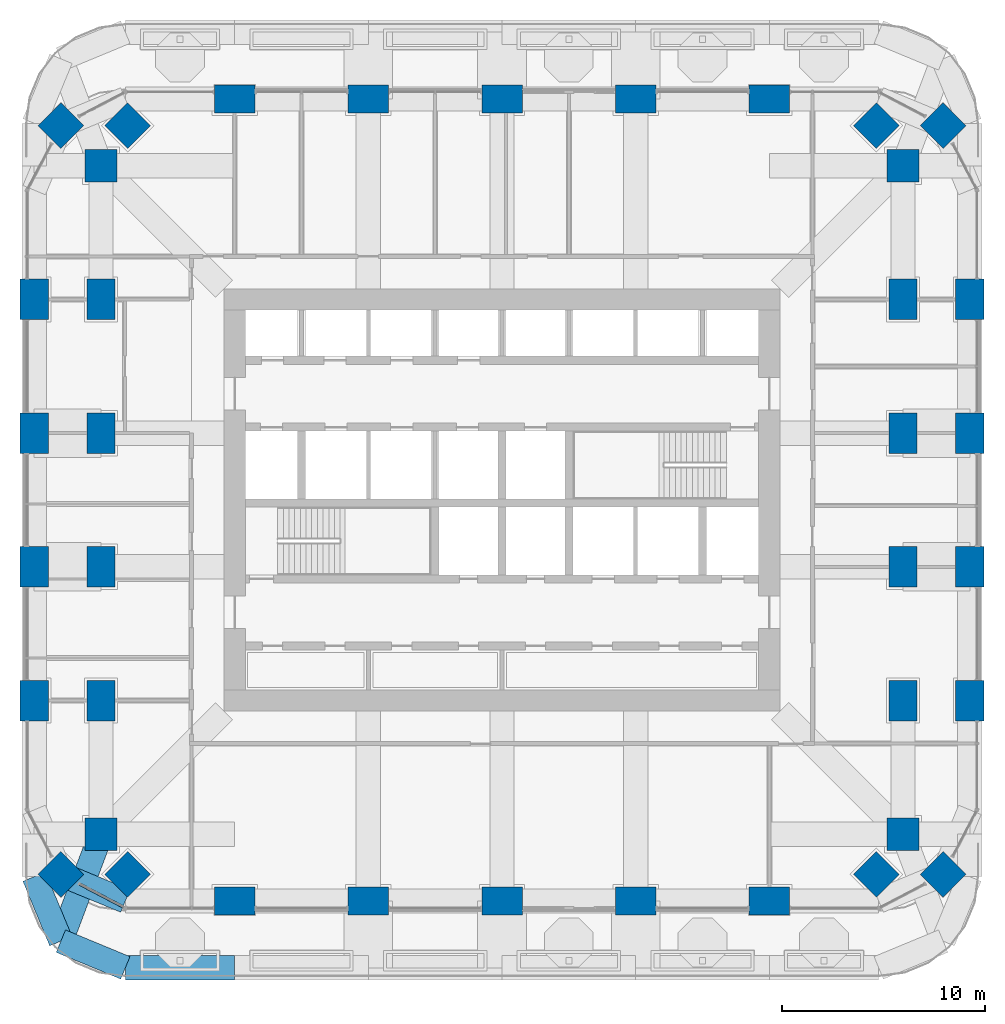
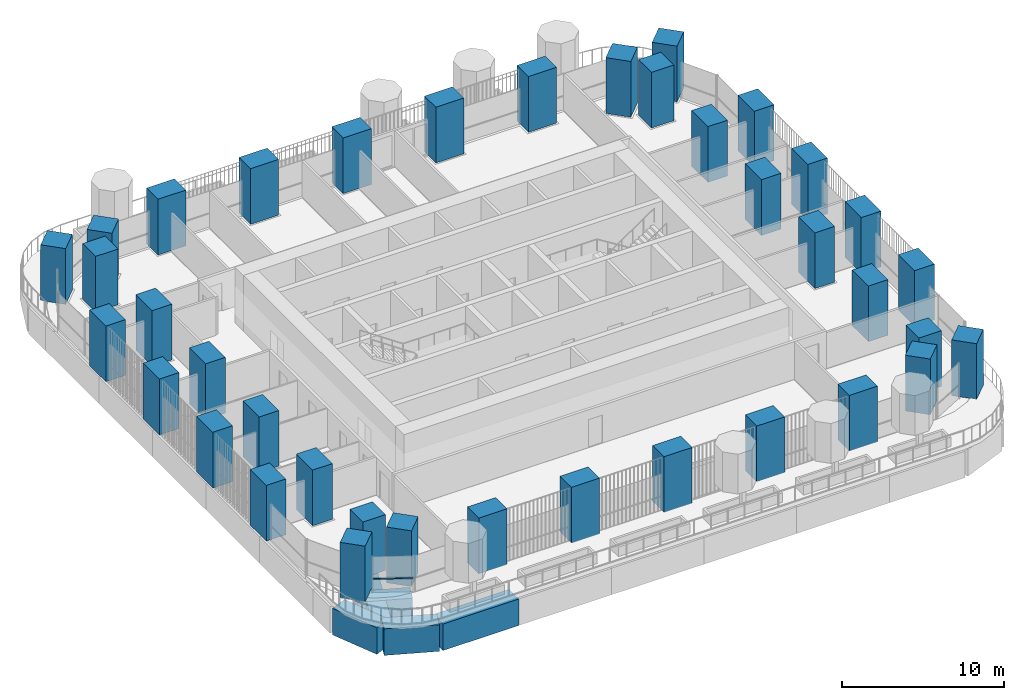
# One storey, part 1 of 22: 38 columns, 5 beams, 1 member, 1 element without a shape of its own.
"""IFC4 building model written with IfcOpenShell, lengths in metres."""

from ifc_helpers import new_model, si_unit, direction, frame, origin, origin_2d, place, context, subcontext, project, spatial, rectangle, extrude, material, material_profile, profile_set, type_object, element, aggregate, save


model = new_model("IFC4")

# Units and contexts
model_context = context("Model", 3, precision=1e-05, world=origin(), true_north=direction((0.0, 1.0)))
body_context = subcontext(model_context, "Body", "Model", "MODEL_VIEW")
ifc_project = project(units=[si_unit("LENGTHUNIT", "METRE"), si_unit("AREAUNIT", "SQUARE_METRE"), si_unit("VOLUMEUNIT", "CUBIC_METRE"), si_unit("PLANEANGLEUNIT", "RADIAN"), si_unit("MASSUNIT", "GRAM", prefix="KILO")], contexts=[model_context])

# Site, building, storey
site_placement = place(None, origin())
site = spatial("IfcSite", under=ifc_project, at=site_placement, CompositionType="ELEMENT")
building_placement = place(site_placement, origin())
building = spatial("IfcBuilding", under=site, at=building_placement, Name="Cobogo Forest Laboratory Tower", CompositionType="ELEMENT")
storey_placement = place(building_placement, frame((0.0, 0.0, 155.699951171875)))
storey = spatial("IfcBuildingStorey", under=building, at=storey_placement, Name="L35", CompositionType="ELEMENT", Elevation=155.699951171875)

# Columns
ifc_material_1 = material(Name="Concrete HA-50 (C50/60)", Category="concrete")
ifc_material_profile_1 = material_profile(ifc_material_1, rectangle(XDim=2.0, YDim=1.39990234375, at=origin_2d()), Name="RC 1400x2000")
ifc_profile_set_1 = profile_set([ifc_material_profile_1], Name="Concrete HA-50 (C50/60)")
column_type_1 = type_object("IfcColumnType", Name="Blade column 1400x2000", PredefinedType="COLUMN", material=ifc_profile_set_1)
for number, where, z_axis, x_axis, name in (
    (1, (13.199951171875, 3.300048828125, 0.0), (0.0, 0.0, 1.0), (1.0, 0.0, 0.0), "Column 3-A.1 L35"),
    (2, (19.800048828125, 3.300048828125, 0.0), (0.0, 0.0, 1.0), (1.0, 0.0, 0.0), "Column 4-A.1 L35"),
    (3, (26.39990234375, 3.300048828125, 0.0), (0.0, 0.0, 1.0), (1.0, 0.0, 0.0), "Column 5-A.1 L35"),
    (4, (33.0, 3.300048828125, 0.0), (0.0, 0.0, 1.0), (1.0, 0.0, 0.0), "Column 6-A.1 L35"),
    (5, (39.60009765625, 3.300048828125, 0.0), (0.0, 0.0, 1.0), (1.0, 0.0, 0.0), "Column 7-A.1 L35"),
    (6, (3.300048828125, 13.199951171875, 0.0), (0.0, 0.0, 1.0), (0.0, 1.0, 0.0), "Column 1.1-C L35"),
    (7, (49.5, 13.199951171875, 0.0), (0.0, 0.0, 1.0), (0.0, 1.0, 0.0), "Column 8.1-C L35"),
    (8, (3.300048828125, 19.800048828125, 0.0), (0.0, 0.0, 1.0), (0.0, 1.0, 0.0), "Column 1.1-D L35"),
    (9, (49.5, 19.800048828125, 0.0), (0.0, 0.0, 1.0), (0.0, 1.0, 0.0), "Column 8.1-D L35"),
    (10, (3.300048828125, 26.39990234375, 0.0), (0.0, 0.0, 1.0), (0.0, 1.0, 0.0), "Column 1.1-E L35"),
    (11, (49.5, 26.39990234375, 0.0), (0.0, 0.0, 1.0), (0.0, 1.0, 0.0), "Column 8.1-E L35"),
    (12, (3.300048828125, 33.0, 0.0), (0.0, 0.0, 1.0), (0.0, 1.0, 0.0), "Column 1.1-F L35"),
    (13, (49.5, 33.0, 0.0), (0.0, 0.0, 1.0), (0.0, 1.0, 0.0), "Column 8.1-F L35"),
    (14, (13.199951171875, 42.89990234375, 0.0), (0.0, 0.0, 1.0), (1.0, 0.0, 0.0), "Column 3-G.1 L35"),
    (15, (19.800048828125, 42.89990234375, 0.0), (0.0, 0.0, 1.0), (1.0, 0.0, 0.0), "Column 4-G.1 L35"),
    (16, (26.39990234375, 42.89990234375, 0.0), (0.0, 0.0, 1.0), (1.0, 0.0, 0.0), "Column 5-G.1 L35"),
    (17, (33.0, 42.89990234375, 0.0), (0.0, 0.0, 1.0), (1.0, 0.0, 0.0), "Column 6-G.1 L35"),
    (18, (39.60009765625, 42.89990234375, 0.0), (0.0, 0.0, 1.0), (1.0, 0.0, 0.0), "Column 7-G.1 L35"),
    (19, (6.60009765625, 13.199951171875, 0.0), (0.0, 0.0, 1.0), (0.0, 1.0, 0.0), "Column 2-C-D L35"),
    (20, (46.199951171875, 13.199951171875, 0.0), (0.0, 0.0, 1.0), (0.0, 1.0, 0.0), "Column 8-C-D L35"),
    (21, (6.60009765625, 19.800048828125, 0.0), (0.0, 0.0, 1.0), (0.0, 1.0, 0.0), "Column 2-D-D L35"),
    (22, (46.199951171875, 19.800048828125, 0.0), (0.0, 0.0, 1.0), (0.0, 1.0, 0.0), "Column 8-D-D L35"),
    (23, (6.60009765625, 26.39990234375, 0.0), (0.0, 0.0, 1.0), (0.0, 1.0, 0.0), "Column 2-E-D L35"),
    (24, (46.199951171875, 26.39990234375, 0.0), (0.0, 0.0, 1.0), (0.0, 1.0, 0.0), "Column 8-E-D L35"),
    (25, (6.60009765625, 33.0, 0.0), (0.0, 0.0, 1.0), (0.0, 1.0, 0.0), "Column 2-F-D L35"),
    (26, (46.199951171875, 33.0, 0.0), (0.0, 0.0, 1.0), (0.0, 1.0, 0.0), "Column 8-F-D L35"),
):
    element("IfcColumn", number, at=place(storey_placement, frame(where, z_axis=z_axis, x_axis=x_axis)), inside=storey, type_object=column_type_1, Name=name, PredefinedType="COLUMN", context=body_context, shape_type="SweptSolid", body=[
        extrude(rectangle(XDim=2.0, YDim=1.39990234375, at=origin_2d()), origin(), (0.0, 0.0, 1.0), 4.199951171875),
    ])
ifc_material_profile_2 = material_profile(ifc_material_1, rectangle(XDim=1.60009765625, YDim=1.60009765625, at=origin_2d()), Name="RC 1600x1600")
ifc_profile_set_2 = profile_set([ifc_material_profile_2], Name="Concrete HA-50 (C50/60)")
column_type_2 = type_object("IfcColumnType", Name="Column 1600x1600", PredefinedType="COLUMN", material=ifc_profile_set_2)
for number, where, z_axis, x_axis, name in (
    (27, (4.617919921875, 4.617919921875, 0.0), (0.0, 0.0, 1.0), (0.707106781187, 0.707106781187, 0.0), "Column CNR-SW L35"),
    (28, (48.181884765625, 4.617919921875, 0.0), (0.0, 0.0, 1.0), (0.707106781187, 0.707106781187, 0.0), "Column CNR-SE L35"),
    (29, (4.617919921875, 41.58203125, 0.0), (0.0, 0.0, 1.0), (0.707106781187, 0.707106781187, 0.0), "Column CNR-NW L35"),
    (30, (48.181884765625, 41.58203125, 0.0), (0.0, 0.0, 1.0), (0.707106781187, 0.707106781187, 0.0), "Column CNR-NE L35"),
    (31, (6.60009765625, 6.60009765625, 0.0), (0.0, 0.0, 1.0), (1.0, 0.0, 0.0), "Column 2-B L35"),
    (32, (46.199951171875, 6.60009765625, 0.0), (0.0, 0.0, 1.0), (1.0, 0.0, 0.0), "Column 8-B L35"),
    (33, (6.60009765625, 39.60009765625, 0.0), (0.0, 0.0, 1.0), (1.0, 0.0, 0.0), "Column 2-G L35"),
    (34, (46.199951171875, 39.60009765625, 0.0), (0.0, 0.0, 1.0), (1.0, 0.0, 0.0), "Column 8-G L35"),
    (35, (7.91796875, 4.617919921875, 0.0), (0.0, 0.0, 1.0), (0.707106781187, 0.707106781187, 0.0), "Column CNR-SW-D L35"),
    (36, (44.882080078125, 4.617919921875, 0.0), (0.0, 0.0, 1.0), (0.707106781187, 0.707106781187, 0.0), "Column CNR-SE-D L35"),
    (37, (7.91796875, 41.58203125, 0.0), (0.0, 0.0, 1.0), (0.707106781187, 0.707106781187, 0.0), "Column CNR-NW-D L35"),
    (38, (44.882080078125, 41.58203125, 0.0), (0.0, 0.0, 1.0), (0.707106781187, 0.707106781187, 0.0), "Column CNR-NE-D L35"),
):
    element("IfcColumn", number, at=place(storey_placement, frame(where, z_axis=z_axis, x_axis=x_axis)), inside=storey, type_object=column_type_2, Name=name, PredefinedType="COLUMN", context=body_context, shape_type="SweptSolid", body=[
        extrude(rectangle(XDim=1.60009765625, YDim=1.60009765625, at=origin_2d()), origin(), (0.0, 0.0, 1.0), 4.199951171875),
    ])

# Beams
ifc_material_2 = material(Name="Concrete HA-40 (C40/50)", Category="concrete")
ifc_material_profile_3 = material_profile(ifc_material_2, rectangle(XDim=1.199951171875, YDim=2.0, at=origin_2d()), Name="RC 1200x2000")
ifc_profile_set_3 = profile_set([ifc_material_profile_3], Name="Concrete HA-40 (C40/50)")
beam_type = type_object("IfcBeamType", Name="Setback floor girder 1200x2000", PredefinedType="BEAM", material=ifc_profile_set_3)
beam_1_placement = place(storey_placement, frame((4.617919921875, 1.318115234375, -1.300048828125), z_axis=(0.351346325373, 0.936245565889, 0.0), x_axis=(-0.936245565889, 0.351346325373, 0.0)))
element("IfcBeam", 39, at=beam_1_placement, inside=storey, type_object=beam_type, Name="TG2 G-SW-D1 L35", PredefinedType="BEAM", context=body_context, shape_type="SweptSolid", body=[
    extrude(rectangle(XDim=1.199951171875, YDim=2.0, at=origin_2d()), origin(), (0.0, 0.0, 1.0), 5.6416015625),
])
beam_2_placement = place(storey_placement, frame((13.199951171875, 0.0, -1.300048828125), z_axis=(-1.0, 0.0, 0.0), x_axis=(0.0, -1.0, 0.0)))
element("IfcBeam", 40, at=beam_2_placement, inside=storey, type_object=beam_type, Name="TG2 E-SWS1 L35", PredefinedType="BEAM", context=body_context, shape_type="SweptSolid", body=[
    extrude(rectangle(XDim=1.199951171875, YDim=2.0, at=origin_2d()), origin(), (0.0, 0.0, 1.0), 5.39990234375),
])
beam_3_placement = place(storey_placement, frame((7.800048828125, 0.0, -1.300048828125), z_axis=(-0.923876013265, 0.382691928466, 0.0), x_axis=(-0.382691928466, -0.923876013265, 0.0)))
element("IfcBeam", 41, at=beam_3_placement, inside=storey, type_object=beam_type, Name="TG2 E-SWS2 L35", PredefinedType="BEAM", context=body_context, shape_type="SweptSolid", body=[
    extrude(rectangle(XDim=1.199951171875, YDim=2.0, at=origin_2d()), origin(), (0.0, 0.0, 1.0), 3.4443359375),
])
beam_4_placement = place(storey_placement, frame((3.300048828125, 4.5, -1.300048828125), z_axis=(0.382656484822, -0.923890694089, 0.0), x_axis=(0.923890694089, 0.382656484822, 0.0)))
element("IfcBeam", 42, at=beam_4_placement, inside=storey, type_object=beam_type, Name="TG2 E-SWW2 L35", PredefinedType="BEAM", context=body_context, shape_type="SweptSolid", body=[
    extrude(rectangle(XDim=1.199951171875, YDim=2.0, at=origin_2d()), origin(), (0.0, 0.0, 1.0), 3.444091796875),
])
beam_5_placement = place(storey_placement, frame((7.800048828125, 3.300048828125, -1.300048828125), z_axis=(-0.923901072997, 0.382631424892, 0.0), x_axis=(-0.382631424892, -0.923901072997, 0.0)))
element("IfcBeam", 43, at=beam_5_placement, inside=storey, type_object=beam_type, Name="TG2 UE-SWS2 L35", PredefinedType="BEAM", context=body_context, shape_type="SweptSolid", body=[
    extrude(rectangle(XDim=1.199951171875, YDim=2.0, at=origin_2d()), origin(), (0.0, 0.0, 1.0), 3.4443359375),
])

# Curtain wall, member
ifc_material_3 = material(Name="Aluminium curtain wall", Category="aluminium")
curtain_wall_type = type_object("IfcCurtainWallType", Name="CW-2 unitised curtain wall, solar control glazing, laboratory floors zones C and D", PredefinedType="USERDEFINED", material=ifc_material_3)
curtain_wall_placement = place(storey_placement, origin())
curtain_wall = element("IfcCurtainWall", 44, at=curtain_wall_placement, inside=storey, type_object=curtain_wall_type, Name="Curtain wall 30 L35", ObjectType="UNITISED CURTAIN WALL", PredefinedType="USERDEFINED")
ifc_material_4 = material(Name="Aluminium transom", Category="aluminium")
ifc_material_profile_4 = material_profile(ifc_material_4, rectangle(XDim=0.1201171875, YDim=0.06005859375, at=origin_2d()), Name="AL 60x120")
ifc_profile_set_4 = profile_set([ifc_material_profile_4], Name="Aluminium transom")
member_type = type_object("IfcMemberType", Name="TR-1 aluminium transom 60x120", PredefinedType="USERDEFINED", material=ifc_profile_set_4)
member_placement = place(storey_placement, frame((5.533935546875, 4.137939453125, 1.050048828125), z_axis=(0.885663175608, -0.464328266824, 0.0), x_axis=(0.464328266824, 0.885663175608, 0.0)))
member = element("IfcMember", 45, at=member_placement, type_object=member_type, Name="CW-2 transom 1.1", ObjectType="TRANSOM", PredefinedType="USERDEFINED", context=body_context, shape_type="SweptSolid", body=[
    extrude(rectangle(XDim=0.1201171875, YDim=0.06005859375, at=origin_2d()), origin(), (0.0, 0.0, 1.0), 2.49853515625),
])
aggregate(curtain_wall, [member])

save(model, "model.ifc")
